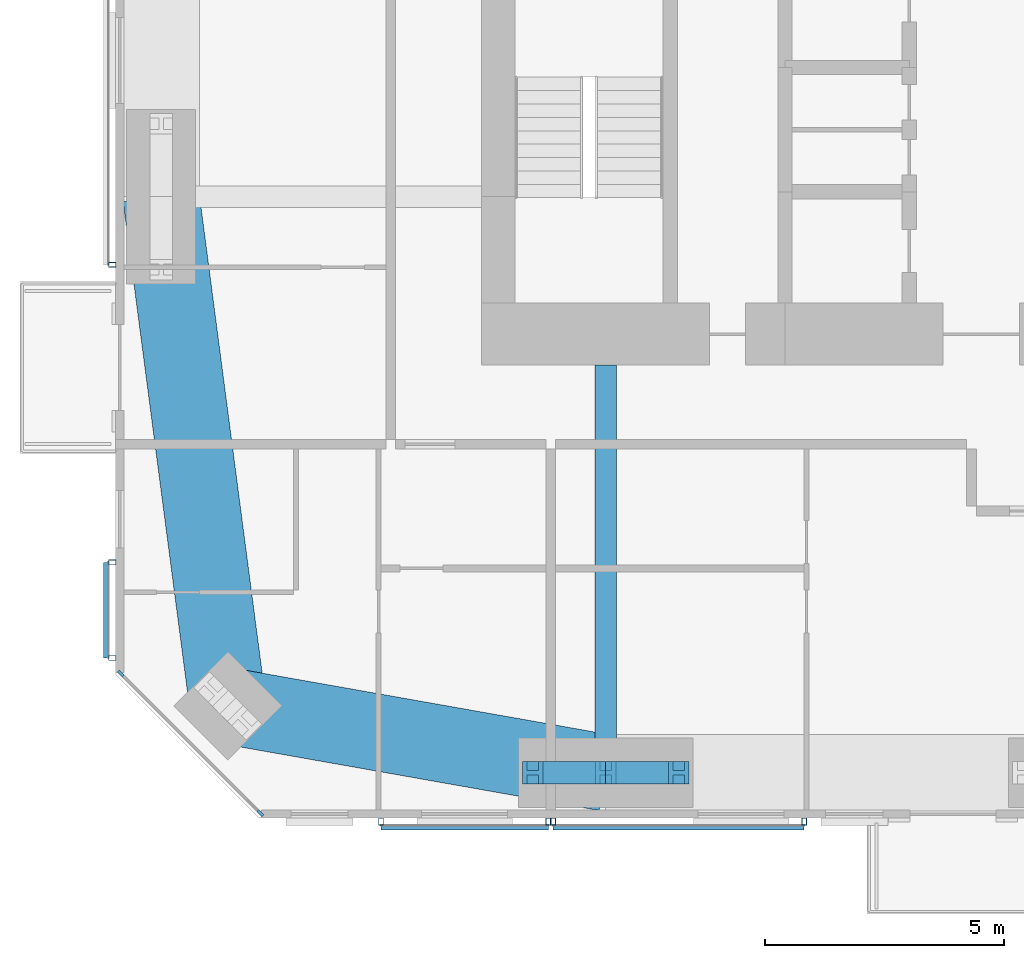
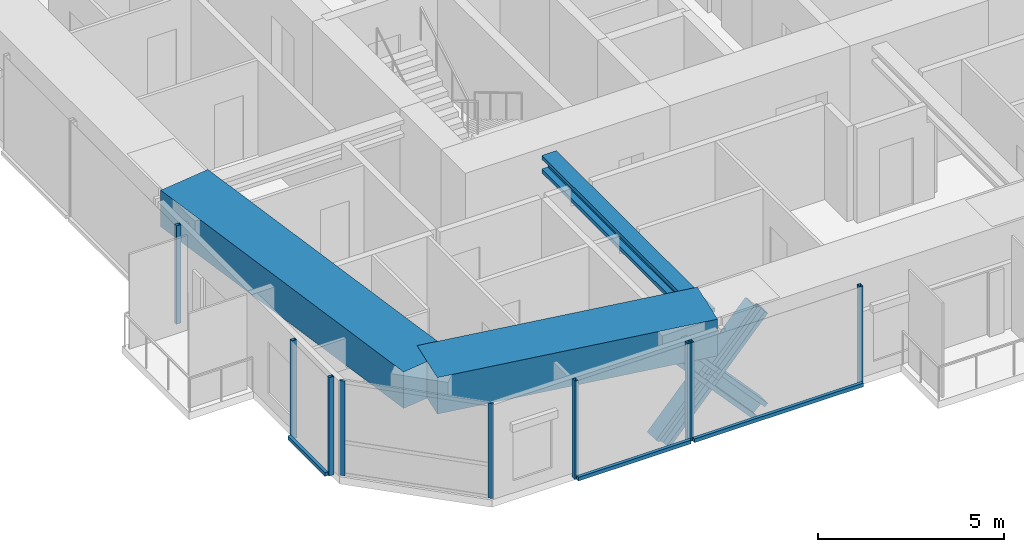
# One storey, part 2 of 23: 16 members, 3 beams, 5 elements without a shape of their own.
"""IFC4 building model written with IfcOpenShell, lengths in metres."""

from ifc_helpers import new_model, si_unit, direction, frame, origin, origin_2d, place, context, subcontext, project, spatial, rectangle, hollow_rectangle, i_section, extrude, material, material_profile, profile_set, type_object, element, aggregate, save


model = new_model("IFC4")

# Units and contexts
model_context = context("Model", 3, precision=1e-05, world=origin(), true_north=direction((0.0, 1.0)))
body_context = subcontext(model_context, "Body", "Model", "MODEL_VIEW")
ifc_project = project(units=[si_unit("LENGTHUNIT", "METRE"), si_unit("AREAUNIT", "SQUARE_METRE"), si_unit("VOLUMEUNIT", "CUBIC_METRE"), si_unit("PLANEANGLEUNIT", "RADIAN"), si_unit("MASSUNIT", "GRAM", prefix="KILO")], contexts=[model_context])

# Site, building, storey
site_placement = place(None, origin())
site = spatial("IfcSite", under=ifc_project, at=site_placement, CompositionType="ELEMENT")
building_placement = place(site_placement, origin())
building = spatial("IfcBuilding", under=site, at=building_placement, Name="Jalousie Tower", CompositionType="ELEMENT")
storey_placement = place(building_placement, frame((0.0, 0.0, 197.89990234375)))
storey = spatial("IfcBuildingStorey", under=building, at=storey_placement, Name="L54", CompositionType="ELEMENT", Elevation=197.89990234375)

# Curtain wall, members
ifc_material_1 = material(Name="Aluminium curtain wall", Category="aluminium")
curtain_wall_type_1 = type_object("IfcCurtainWallType", Name="CORNER WINDOW WALL", PredefinedType="USERDEFINED", material=ifc_material_1)
curtain_wall_1_placement = place(storey_placement, origin())
curtain_wall_1 = element("IfcCurtainWall", 1, at=curtain_wall_1_placement, inside=storey, type_object=curtain_wall_type_1, Name="Corner Window Wall L54 8", ObjectType="CORNER WINDOW WALL", PredefinedType="USERDEFINED")
ifc_material_2 = material(Name="Aluminium mullion", Category="aluminium")
ifc_material_profile_1 = material_profile(ifc_material_2, rectangle(XDim=0.06005859375, YDim=0.14990234375, at=origin_2d()), Name="MULLION 60x150")
ifc_profile_set_1 = profile_set([ifc_material_profile_1], Name="Aluminium mullion")
member_type_1 = type_object("IfcMemberType", Name="CORNER WINDOW WALL MULLION", PredefinedType="MULLION", material=ifc_profile_set_1)
member_1_placement = place(storey_placement, frame((12.108642578125, 3.030029296875, 0.0), z_axis=(0.0, 0.0, 1.0), x_axis=(0.707106781187, 0.707106781187, 0.0)))
member_1 = element("IfcMember", 2, at=member_1_placement, type_object=member_type_1, Name="CW-C mullion 1", PredefinedType="MULLION", context=body_context, shape_type="SweptSolid", body=[
    extrude(rectangle(XDim=0.06005859375, YDim=0.14990234375, at=origin_2d()), origin(), (0.0, 0.0, 1.0), 3.110107421875),
])
member_2_placement = place(storey_placement, frame((15.030029296875, 0.108642578125, 0.0), z_axis=(0.0, 0.0, 1.0), x_axis=(0.707106781187, 0.707106781187, 0.0)))
member_2 = element("IfcMember", 3, at=member_2_placement, type_object=member_type_1, Name="CW-C mullion 2", PredefinedType="MULLION", context=body_context, shape_type="SweptSolid", body=[
    extrude(rectangle(XDim=0.06005859375, YDim=0.14990234375, at=origin_2d()), origin(), (0.0, 0.0, 1.0), 3.110107421875),
])
aggregate(curtain_wall_1, [member_1, member_2])

# Beam
ifc_material_3 = material(Name="Steel ASTM A992 Grade 50", Category="steel")
ifc_material_profile_2 = material_profile(ifc_material_3, i_section(OverallWidth=0.45458984375, OverallDepth=0.569091796875, WebThickness=0.077880859375, FlangeThickness=0.124755859375, at=origin_2d()), Name="W14X730")
ifc_profile_set_2 = profile_set([ifc_material_profile_2], Name="Steel ASTM A992 Grade 50")
beam_type_1 = type_object("IfcBeamType", Name="LEAN COLLECTOR W14X730", PredefinedType="BEAM", material=ifc_profile_set_2)
beam_1_placement = place(storey_placement, frame((22.25, 0.949951171875, 2.82568359375), z_axis=(0.0, 1.0, 0.0), x_axis=(-1.0, 0.0, 0.0)))
element("IfcBeam", 4, at=beam_1_placement, inside=storey, type_object=beam_type_1, Name="Lean collector under L55", PredefinedType="BEAM", context=body_context, shape_type="SweptSolid", body=[
    extrude(i_section(OverallWidth=0.45458984375, OverallDepth=0.569091796875, WebThickness=0.077880859375, FlangeThickness=0.124755859375, at=origin_2d()), origin(), (0.0, 0.0, 1.0), 8.525146484375),
])

# Members
ifc_material_4 = material(Name="Steel ASTM A992 Grade 50", Category="steel")
ifc_material_profile_3 = material_profile(ifc_material_4, i_section(OverallWidth=0.472412109375, OverallDepth=0.5791015625, WebThickness=0.094970703125, FlangeThickness=0.1298828125, at=origin_2d()), Name="W14X808")
ifc_profile_set_3 = profile_set([ifc_material_profile_3], Name="Steel ASTM A992 Grade 50")
member_type_2 = type_object("IfcMemberType", Name="PERIMETER BRACE W14X808", PredefinedType="BRACE", material=ifc_profile_set_3)
for number, where, z_axis, x_axis, name in (
    (5, (20.72509765625, 0.949951171875, -0.599853515625), (0.673187629365, 0.0, 0.739471713908), (0.0, 1.0, 0.0), "Perimeter brace 02 L54 part 1"),
    (6, (22.25, 0.949951171875, 1.0751953125), (0.673241284601, 0.0, 0.739422864611), (0.0, 1.0, 0.0), "Perimeter brace 02 L54 part 2"),
    (7, (23.77490234375, 0.949951171875, -0.599853515625), (-0.673187629365, 0.0, 0.739471713908), (0.0, -1.0, 0.0), "Perimeter brace 02 L54 part 3"),
    (8, (22.25, 0.949951171875, 1.0751953125), (-0.673241284601, 0.0, 0.739422864611), (0.0, -1.0, 0.0), "Perimeter brace 02 L54 part 4"),
):
    element("IfcMember", number, at=place(storey_placement, frame(where, z_axis=z_axis, x_axis=x_axis)), inside=storey, type_object=member_type_2, Name=name, PredefinedType="BRACE", context=body_context, shape_type="SweptSolid", body=[
        extrude(i_section(OverallWidth=0.472412109375, OverallDepth=0.5791015625, WebThickness=0.094970703125, FlangeThickness=0.1298828125, at=origin_2d()), origin(), (0.0, 0.0, 1.0), 2.26513671875),
    ])

# Beams
ifc_material_5 = material(Name="Concrete f'c 40 MPa", Category="concrete")
ifc_material_profile_4 = material_profile(ifc_material_5, rectangle(XDim=1.60009765625, YDim=1.199951171875, at=origin_2d()), Name="RC 1600x1200")
ifc_profile_set_4 = profile_set([ifc_material_profile_4], Name="Concrete f'c 40 MPa")
beam_type_2 = type_object("IfcBeamType", Name="RC BEAM 1600x1200", PredefinedType="BEAM", material=ifc_profile_set_4)
beam_2_placement = place(storey_placement, frame((14.348388671875, 2.348388671875, 2.75), z_axis=(0.984697370688, -0.174273027632, 0.0), x_axis=(0.174273027632, 0.984697370688, 0.0)))
element("IfcBeam", 9, at=beam_2_placement, inside=storey, type_object=beam_type_2, Name="Edge band beam 01-02 under L55", PredefinedType="BEAM", context=body_context, shape_type="SweptSolid", body=[
    extrude(rectangle(XDim=1.60009765625, YDim=1.199951171875, at=origin_2d()), origin(), (0.0, 0.0, 1.0), 8.0244140625),
])
beam_3_placement = place(storey_placement, frame((12.949951171875, 13.0, 2.75), z_axis=(0.130171745558, -0.991491460709, 0.0), x_axis=(0.991491460709, 0.130171745558, 0.0)))
element("IfcBeam", 10, at=beam_3_placement, inside=storey, type_object=beam_type_2, Name="Edge band beam 14-01 under L55", PredefinedType="BEAM", context=body_context, shape_type="SweptSolid", body=[
    extrude(rectangle(XDim=1.60009765625, YDim=1.199951171875, at=origin_2d()), origin(), (0.0, 0.0, 1.0), 10.742919921875),
])

# Curtain wall, members
ifc_material_6 = material(Name="Perforated aluminium sheet", Category="aluminium")
curtain_wall_type_2 = type_object("IfcCurtainWallType", Name="SOLAR SCREEN SS-1", PredefinedType="USERDEFINED", material=ifc_material_6)
curtain_wall_2_placement = place(storey_placement, origin())
curtain_wall_2 = element("IfcCurtainWall", 11, at=curtain_wall_2_placement, inside=storey, type_object=curtain_wall_type_2, Name="Solar screen L54", ObjectType="SOLAR SCREEN SS-1", PredefinedType="USERDEFINED")
ifc_material_7 = material(Name="Steel ASTM A500 Grade C", Category="steel")
ifc_material_profile_5 = material_profile(ifc_material_7, hollow_rectangle(XDim=0.1015625, YDim=0.15234375, WallThickness=0.00634765625, at=origin_2d()), Name="HSS6X4X1/4")
ifc_profile_set_5 = profile_set([ifc_material_profile_5], Name="Steel ASTM A500 Grade C")
member_type_3 = type_object("IfcMemberType", Name="SOLAR SCREEN SS-1 MULLION", PredefinedType="MULLION", material=ifc_profile_set_5)
member_3_placement = place(storey_placement, frame((17.550048828125, -0.0712890625, -0.119873046875), z_axis=(0.0, 0.0, 1.0), x_axis=(1.0, 0.0, 0.0)))
member_3 = element("IfcMember", 12, at=member_3_placement, type_object=member_type_3, Name="SS1 post 1", PredefinedType="MULLION", context=body_context, shape_type="SweptSolid", body=[
    extrude(hollow_rectangle(XDim=0.1015625, YDim=0.15234375, WallThickness=0.00634765625, at=origin_2d()), origin(), (0.0, 0.0, 1.0), 3.22998046875),
])
member_4_placement = place(storey_placement, frame((21.050048828125, -0.0712890625, -0.119873046875), z_axis=(0.0, 0.0, 1.0), x_axis=(1.0, 0.0, 0.0)))
member_4 = element("IfcMember", 13, at=member_4_placement, type_object=member_type_3, Name="SS1 post 2", PredefinedType="MULLION", context=body_context, shape_type="SweptSolid", body=[
    extrude(hollow_rectangle(XDim=0.1015625, YDim=0.15234375, WallThickness=0.00634765625, at=origin_2d()), origin(), (0.0, 0.0, 1.0), 3.22998046875),
])

curtain_wall_3_placement = place(storey_placement, origin())
curtain_wall_3 = element("IfcCurtainWall", 14, at=curtain_wall_3_placement, inside=storey, type_object=curtain_wall_type_2, Name="Solar screen L54", ObjectType="SOLAR SCREEN SS-1", PredefinedType="USERDEFINED")
member_5_placement = place(storey_placement, frame((21.14990234375, -0.0712890625, -0.119873046875), z_axis=(0.0, 0.0, 1.0), x_axis=(1.0, 0.0, 0.0)))
member_5 = element("IfcMember", 15, at=member_5_placement, type_object=member_type_3, Name="SS1 post 1", PredefinedType="MULLION", context=body_context, shape_type="SweptSolid", body=[
    extrude(hollow_rectangle(XDim=0.1015625, YDim=0.15234375, WallThickness=0.00634765625, at=origin_2d()), origin(), (0.0, 0.0, 1.0), 3.22998046875),
])
member_6_placement = place(storey_placement, frame((26.39990234375, -0.0712890625, -0.119873046875), z_axis=(0.0, 0.0, 1.0), x_axis=(1.0, 0.0, 0.0)))
member_6 = element("IfcMember", 16, at=member_6_placement, type_object=member_type_3, Name="SS1 post 2", PredefinedType="MULLION", context=body_context, shape_type="SweptSolid", body=[
    extrude(hollow_rectangle(XDim=0.1015625, YDim=0.15234375, WallThickness=0.00634765625, at=origin_2d()), origin(), (0.0, 0.0, 1.0), 3.22998046875),
])

# Curtain wall, member
curtain_wall_4_placement = place(storey_placement, origin())
curtain_wall_4 = element("IfcCurtainWall", 17, at=curtain_wall_4_placement, inside=storey, type_object=curtain_wall_type_2, Name="Solar screen L54", ObjectType="SOLAR SCREEN SS-1", PredefinedType="USERDEFINED")
member_7_placement = place(storey_placement, frame((11.9287109375, 11.574951171875, -0.119873046875), z_axis=(0.0, 0.0, 1.0), x_axis=(0.0, -1.0, 0.0)))
member_7 = element("IfcMember", 18, at=member_7_placement, type_object=member_type_3, Name="SS1 post 2", PredefinedType="MULLION", context=body_context, shape_type="SweptSolid", body=[
    extrude(hollow_rectangle(XDim=0.1015625, YDim=0.15234375, WallThickness=0.00634765625, at=origin_2d()), origin(), (0.0, 0.0, 1.0), 3.22998046875),
])
aggregate(curtain_wall_4, [member_7])

# Curtain wall, members
curtain_wall_5_placement = place(storey_placement, origin())
curtain_wall_5 = element("IfcCurtainWall", 19, at=curtain_wall_5_placement, inside=storey, type_object=curtain_wall_type_2, Name="Solar screen L54", ObjectType="SOLAR SCREEN SS-1", PredefinedType="USERDEFINED")
member_8_placement = place(storey_placement, frame((11.9287109375, 5.35009765625, -0.119873046875), z_axis=(0.0, 0.0, 1.0), x_axis=(0.0, -1.0, 0.0)))
member_8 = element("IfcMember", 20, at=member_8_placement, type_object=member_type_3, Name="SS1 post 1", PredefinedType="MULLION", context=body_context, shape_type="SweptSolid", body=[
    extrude(hollow_rectangle(XDim=0.1015625, YDim=0.15234375, WallThickness=0.00634765625, at=origin_2d()), origin(), (0.0, 0.0, 1.0), 3.22998046875),
])
member_9_placement = place(storey_placement, frame((11.9287109375, 3.351318359375, -0.119873046875), z_axis=(0.0, 0.0, 1.0), x_axis=(0.0, -1.0, 0.0)))
member_9 = element("IfcMember", 21, at=member_9_placement, type_object=member_type_3, Name="SS1 post 2", PredefinedType="MULLION", context=body_context, shape_type="SweptSolid", body=[
    extrude(hollow_rectangle(XDim=0.1015625, YDim=0.15234375, WallThickness=0.00634765625, at=origin_2d()), origin(), (0.0, 0.0, 1.0), 3.22998046875),
])

# Member
ifc_material_8 = material(Name="Extruded aluminium screen rail", Category="aluminium")
ifc_material_profile_6 = material_profile(ifc_material_8, rectangle(XDim=0.1015625, YDim=0.1201171875, at=origin_2d()), Name="RAIL 102x120")
ifc_profile_set_6 = profile_set([ifc_material_profile_6], Name="Extruded aluminium screen rail")
member_type_4 = type_object("IfcMemberType", Name="SOLAR SCREEN SS-1 TRANSOM", PredefinedType="USERDEFINED", material=ifc_profile_set_6)
member_10_placement = place(storey_placement, frame((17.550048828125, -0.1982421875, -0.059814453125), z_axis=(1.0, 0.0, 0.0), x_axis=(0.0, 1.0, 0.0)))
member_10 = element("IfcMember", 22, at=member_10_placement, type_object=member_type_4, Name="SS1 rail", ObjectType="TRANSOM", PredefinedType="USERDEFINED", context=body_context, shape_type="SweptSolid", body=[
    extrude(rectangle(XDim=0.1015625, YDim=0.1201171875, at=origin_2d()), origin(), (0.0, 0.0, 1.0), 3.5),
])

aggregate(curtain_wall_2, [member_3, member_4, member_10])

member_11_placement = place(storey_placement, frame((21.14990234375, -0.1982421875, -0.059814453125), z_axis=(1.0, 0.0, 0.0), x_axis=(0.0, 1.0, 0.0)))
member_11 = element("IfcMember", 23, at=member_11_placement, type_object=member_type_4, Name="SS1 rail", ObjectType="TRANSOM", PredefinedType="USERDEFINED", context=body_context, shape_type="SweptSolid", body=[
    extrude(rectangle(XDim=0.1015625, YDim=0.1201171875, at=origin_2d()), origin(), (0.0, 0.0, 1.0), 5.25),
])

aggregate(curtain_wall_3, [member_5, member_6, member_11])

member_12_placement = place(storey_placement, frame((11.8017578125, 5.35009765625, -0.059814453125), z_axis=(0.0, -1.0, 0.0), x_axis=(1.0, 0.0, 0.0)))
member_12 = element("IfcMember", 24, at=member_12_placement, type_object=member_type_4, Name="SS1 rail", ObjectType="TRANSOM", PredefinedType="USERDEFINED", context=body_context, shape_type="SweptSolid", body=[
    extrude(rectangle(XDim=0.1015625, YDim=0.1201171875, at=origin_2d()), origin(), (0.0, 0.0, 1.0), 1.998779296875),
])

aggregate(curtain_wall_5, [member_8, member_9, member_12])

save(model, "model.ifc")
